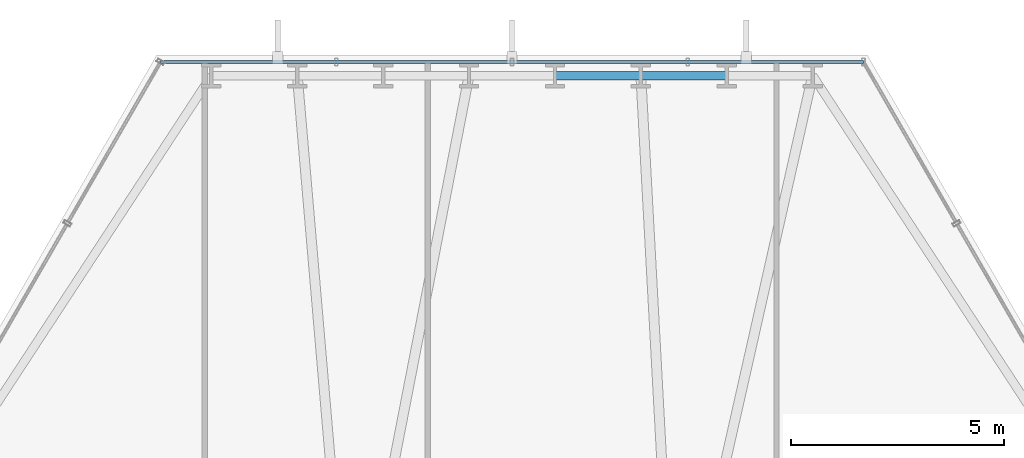
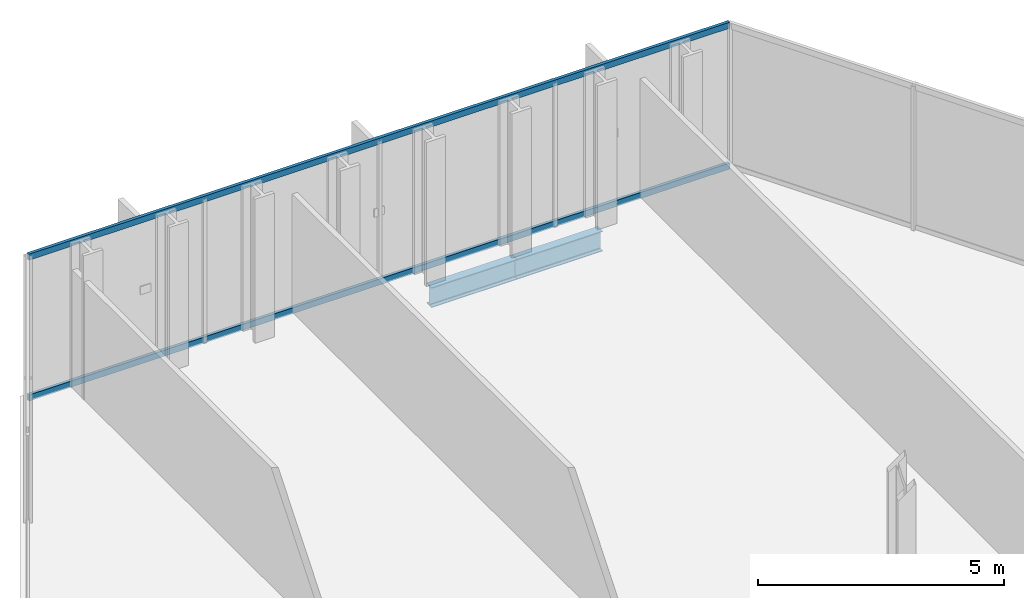
# One storey, part 23 of 33: 2 beams, 2 members, 1 element without a shape of its own.
"""IFC4 building model written with IfcOpenShell, lengths in metres."""

from ifc_helpers import new_model, si_unit, direction, frame, origin, origin_2d, place, context, subcontext, project, spatial, hollow_rectangle, i_section, extrude, material, layer, layer_set, material_profile, profile_set, type_object, element, aggregate, save


model = new_model("IFC4")

# Units and contexts
model_context = context("Model", 3, precision=1e-05, world=origin(), true_north=direction((0.0, 1.0)))
body_context = subcontext(model_context, "Body", "Model", "MODEL_VIEW")
ifc_project = project(units=[si_unit("LENGTHUNIT", "METRE"), si_unit("AREAUNIT", "SQUARE_METRE"), si_unit("VOLUMEUNIT", "CUBIC_METRE"), si_unit("PLANEANGLEUNIT", "RADIAN"), si_unit("MASSUNIT", "GRAM", prefix="KILO")], contexts=[model_context])

# Site, building, storey
site_placement = place(None, origin())
site = spatial("IfcSite", under=ifc_project, at=site_placement, CompositionType="ELEMENT")
building_placement = place(site_placement, origin())
building = spatial("IfcBuilding", under=site, at=building_placement, Name="Ndaravel Arena Tower", CompositionType="ELEMENT")
storey_placement = place(building_placement, frame((0.0, 0.0, 39.800048828125)))
storey = spatial("IfcBuildingStorey", under=building, at=storey_placement, Name="L07", CompositionType="ELEMENT", Elevation=39.800048828125)

# Beams
ifc_material_1 = material(Name="Steel S355", Category="steel")
ifc_material_profile_1 = material_profile(ifc_material_1, i_section(OverallWidth=0.199951171875, OverallDepth=0.5, WebThickness=0.01025390625, FlangeThickness=0.01611328125, FilletRadius=0.02099609375, at=origin_2d()), Name="IPE 500")
ifc_profile_set_1 = profile_set([ifc_material_profile_1], Name="Steel S355")
beam_type = type_object("IfcBeamType", Name="BM-SPAN-IPE500", PredefinedType="SPANDREL", material=ifc_profile_set_1)
for number, where, z_axis, x_axis, name in (
    (1, (47.03369140625, 45.590087890625, -0.469970703125), (-1.0, 0.0, 0.0), (0.0, -1.0, 0.0), "L07 Perimeter Spandrel Beam SP-12"),
    (2, (45.020263671875, 45.590087890625, -0.469970703125), (-1.0, 0.0, 0.0), (0.0, -1.0, 0.0), "L07 Perimeter Spandrel Beam SP-13"),
):
    element("IfcBeam", number, at=place(storey_placement, frame(where, z_axis=z_axis, x_axis=x_axis)), inside=storey, type_object=beam_type, Name=name, PredefinedType="SPANDREL", context=body_context, shape_type="SweptSolid", body=[
        extrude(i_section(OverallWidth=0.199951171875, OverallDepth=0.5, WebThickness=0.01025390625, FlangeThickness=0.01611328125, FilletRadius=0.02099609375, at=origin_2d()), origin(), (0.0, 0.0, 1.0), 2.013427734375),
    ])

# Curtain wall, members
ifc_material_2 = material(Name="Aluminium", Category="aluminium")
ifc_layer = layer(ifc_material_2, 0.179931640625)
ifc_layer_set = layer_set([ifc_layer], Name="Aluminium")
curtain_wall_type = type_object("IfcCurtainWallType", Name="CW-SYS-01", PredefinedType="NOTDEFINED", material=ifc_layer_set)
curtain_wall_placement = place(storey_placement, origin())
curtain_wall = element("IfcCurtainWall", 3, at=curtain_wall_placement, inside=storey, type_object=curtain_wall_type, Name="L07 Faceted Crystal Curtain Wall CW-L07-E04", PredefinedType="NOTDEFINED")
ifc_material_3 = material(Name="Aluminium", Category="aluminium")
ifc_material_profile_2 = material_profile(ifc_material_3, hollow_rectangle(XDim=0.074951171875, YDim=0.14990234375, WallThickness=0.00390625, at=origin_2d()), Name="CW TRANSOM 75x150x4")
ifc_profile_set_2 = profile_set([ifc_material_profile_2], Name="Aluminium")
member_type = type_object("IfcMemberType", Name="MEM-CW-TRN150", PredefinedType="USERDEFINED", material=ifc_profile_set_2)
member_1_placement = place(storey_placement, frame((50.23876953125, 45.909912109375, 0.0400390625), z_axis=(-1.0, 0.0, 0.0), x_axis=(0.0, -1.0, 0.0)))
member_1 = element("IfcMember", 4, at=member_1_placement, type_object=member_type, Name="CW-L07-E04 Transom 01", ObjectType="TRANSOM", PredefinedType="USERDEFINED", context=body_context, shape_type="SweptSolid", body=[
    extrude(hollow_rectangle(XDim=0.074951171875, YDim=0.14990234375, WallThickness=0.00390625, at=origin_2d()), origin(), (0.0, 0.0, 1.0), 16.4775390625),
])
member_2_placement = place(storey_placement, frame((50.23876953125, 45.909912109375, 3.5400390625), z_axis=(-1.0, 0.0, 0.0), x_axis=(0.0, -1.0, 0.0)))
member_2 = element("IfcMember", 5, at=member_2_placement, type_object=member_type, Name="CW-L07-E04 Transom 02", ObjectType="TRANSOM", PredefinedType="USERDEFINED", context=body_context, shape_type="SweptSolid", body=[
    extrude(hollow_rectangle(XDim=0.074951171875, YDim=0.14990234375, WallThickness=0.00390625, at=origin_2d()), origin(), (0.0, 0.0, 1.0), 16.4775390625),
])
aggregate(curtain_wall, [member_1, member_2])

save(model, "model.ifc")
